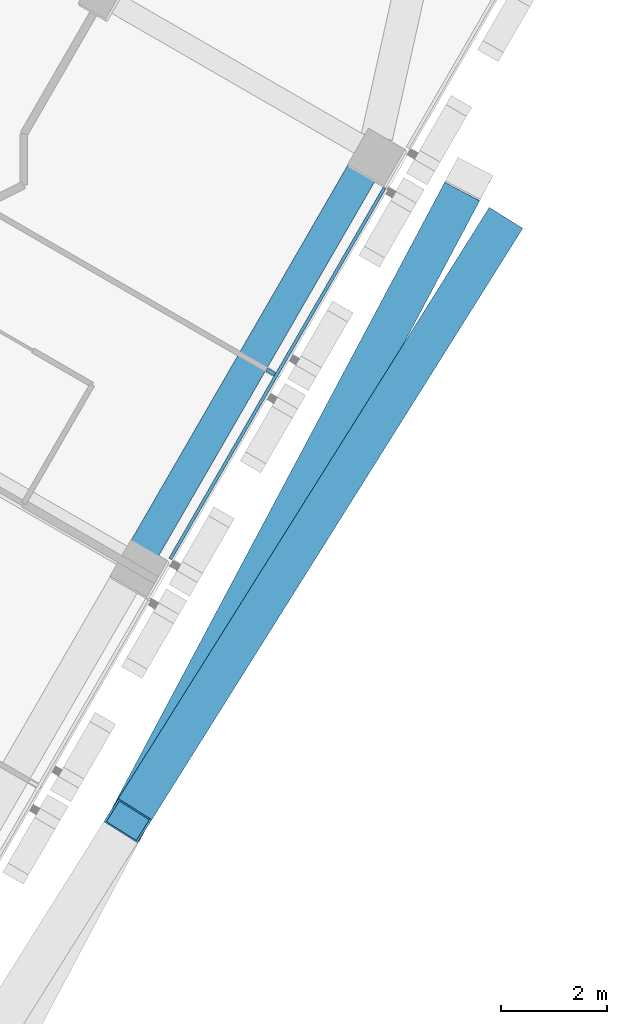
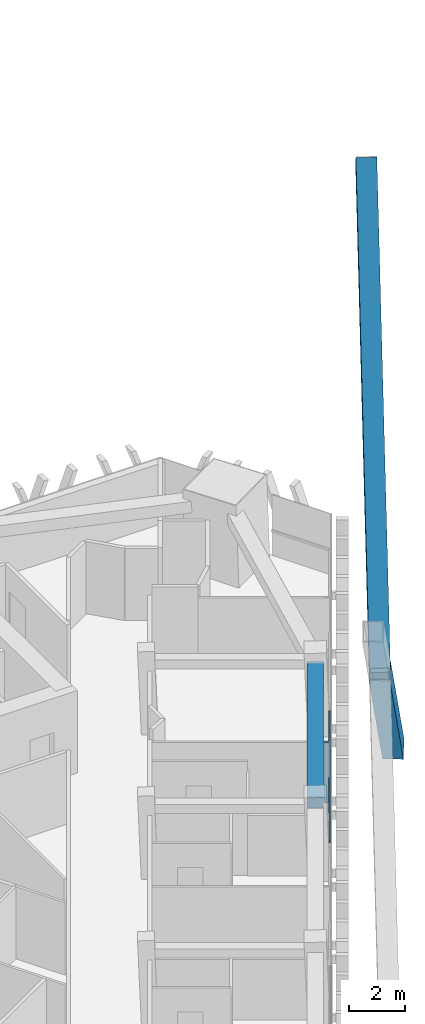
# One storey, part 6 of 18: 4 members, 1 beam, 1 element without a shape of its own.
"""IFC4 building model written with IfcOpenShell, lengths in metres."""

from ifc_helpers import new_model, si_unit, direction, frame, origin, origin_2d, place, context, subcontext, project, spatial, rectangle, hollow_rectangle, extrude, material, layer, layer_set, material_profile, profile_set, type_object, element, aggregate, save


model = new_model("IFC4")

# Units and contexts
model_context = context("Model", 3, precision=1e-05, world=origin(), true_north=direction((0.0, 1.0)))
body_context = subcontext(model_context, "Body", "Model", "MODEL_VIEW")
ifc_project = project(units=[si_unit("LENGTHUNIT", "METRE"), si_unit("AREAUNIT", "SQUARE_METRE"), si_unit("VOLUMEUNIT", "CUBIC_METRE"), si_unit("PLANEANGLEUNIT", "RADIAN"), si_unit("MASSUNIT", "GRAM", prefix="KILO")], contexts=[model_context])

# Site, building, storey
site_placement = place(None, origin())
site = spatial("IfcSite", under=ifc_project, at=site_placement, CompositionType="ELEMENT")
building_placement = place(site_placement, origin())
building = spatial("IfcBuilding", under=site, at=building_placement, Name="Altiplano Prism Tower", CompositionType="ELEMENT")
storey_placement = place(building_placement, frame((0.0, 0.0, 163.800048828125)))
storey = spatial("IfcBuildingStorey", under=building, at=storey_placement, Name="L42", CompositionType="ELEMENT", Elevation=163.800048828125)

# Curtain wall, members
ifc_material_1 = material(Name="Aluminium and glass", Category="aluminium")
ifc_layer = layer(ifc_material_1, 0.280029296875)
ifc_layer_set = layer_set([ifc_layer], Name="Aluminium and glass")
curtain_wall_type = type_object("IfcCurtainWallType", Name="CW1 typical co-living unitised curtain wall", PredefinedType="NOTDEFINED", material=ifc_layer_set)
curtain_wall_placement = place(storey_placement, origin())
curtain_wall = element("IfcCurtainWall", 1, at=curtain_wall_placement, inside=storey, type_object=curtain_wall_type, Name="CW1 curtain wall south-east face L42", PredefinedType="NOTDEFINED")
ifc_material_2 = material(Name="Aluminium", Category="aluminium")
ifc_material_profile_1 = material_profile(ifc_material_2, rectangle(XDim=0.179931640625, YDim=0.06494140625, at=origin_2d()), Name="CW1 mullion 65 x 180")
ifc_profile_set_1 = profile_set([ifc_material_profile_1], Name="Aluminium")
member_type_1 = type_object("IfcMemberType", Name="CW1 mullion 65 x 180", PredefinedType="MULLION", material=ifc_profile_set_1)
member_1_placement = place(storey_placement, frame((104.482421875, 86.654052734375, 0.0), z_axis=(0.0, 0.0, 1.0), x_axis=(-0.866025400931, 0.500000004943, 0.0)))
member_1 = element("IfcMember", 2, at=member_1_placement, type_object=member_type_1, Name="CW1 mullion", PredefinedType="MULLION", context=body_context, shape_type="SweptSolid", body=[
    extrude(rectangle(XDim=0.179931640625, YDim=0.06494140625, at=origin_2d()), origin(), (0.0, 0.0, 1.0), 2.64990234375),
])
ifc_material_profile_2 = material_profile(ifc_material_2, rectangle(XDim=0.06005859375, YDim=0.080078125, at=origin_2d()), Name="CW1 transom 80 x 60")
ifc_profile_set_2 = profile_set([ifc_material_profile_2], Name="Aluminium")
member_type_2 = type_object("IfcMemberType", Name="CW1 transom 80 x 60", PredefinedType="USERDEFINED", material=ifc_profile_set_2)
member_2_placement = place(storey_placement, frame((102.576171875, 83.112060546875, 1.099853515625), z_axis=(0.499990533176, 0.866030869389, 0.0), x_axis=(-0.866030869389, 0.499990533176, 0.0)))
member_2 = element("IfcMember", 3, at=member_2_placement, type_object=member_type_2, Name="CW1 transom", ObjectType="TRANSOM", PredefinedType="USERDEFINED", context=body_context, shape_type="SweptSolid", body=[
    extrude(rectangle(XDim=0.06005859375, YDim=0.080078125, at=origin_2d()), origin(), (0.0, 0.0, 1.0), 8.119873046875),
])
aggregate(curtain_wall, [member_1, member_2])

# Beam
ifc_material_3 = material(Name="Concrete C60/75", Category="concrete")
ifc_material_profile_3 = material_profile(ifc_material_3, rectangle(XDim=0.60009765625, YDim=0.5, at=origin_2d()), Name="Edge beam 600x500")
ifc_profile_set_3 = profile_set([ifc_material_profile_3], Name="Concrete C60/75")
beam_type = type_object("IfcBeamType", Name="Edge beam 600x500", PredefinedType="SPANDREL", material=ifc_profile_set_3)
beam_placement = place(storey_placement, frame((102.067138671875, 83.267822265625, 2.89990234375), z_axis=(0.499993714791, 0.866029032521, 0.0), x_axis=(-0.866029032521, 0.499993714791, 0.0)))
element("IfcBeam", 4, at=beam_placement, inside=storey, type_object=beam_type, Name="Edge beam P23-P24 L43", PredefinedType="SPANDREL", context=body_context, shape_type="SweptSolid", body=[
    extrude(rectangle(XDim=0.60009765625, YDim=0.5, at=origin_2d()), origin(), (0.0, 0.0, 1.0), 8.43994140625),
])

# Members
ifc_material_4 = material(Name="Steel S355", Category="steel")
ifc_material_profile_4 = material_profile(ifc_material_4, hollow_rectangle(XDim=0.75, YDim=0.75, WallThickness=0.0400390625, at=origin_2d()), Name="Mega brace Box 750x750x40")
ifc_profile_set_4 = profile_set([ifc_material_profile_4], Name="Steel S355")
member_type_3 = type_object("IfcMemberType", Name="Mega brace Box 750x750x40", PredefinedType="BRACE", material=ifc_profile_set_4)
member_3_placement = place(storey_placement, frame((101.772216796875, 78.149658203125, 11.875), z_axis=(0.345458966781, 0.650121247865, 0.676757316433), x_axis=(-0.883069537331, 0.469242146698, 0.0)))
element("IfcMember", 5, at=member_3_placement, inside=storey, type_object=member_type_3, Name="Mega brace 4.2.2", PredefinedType="BRACE", context=body_context, shape_type="SweptSolid", body=[
    extrude(hollow_rectangle(XDim=0.75, YDim=0.75, WallThickness=0.0400390625, at=origin_2d()), origin(), (0.0, 0.0, 1.0), 18.68896484375),
])
member_4_placement = place(storey_placement, frame((108.80224609375, 89.356201171875, -0.800048828125), z_axis=(-0.383710998239, -0.611672243138, 0.691825799464), x_axis=(0.847115859398, -0.531408243026, 0.0)))
element("IfcMember", 6, at=member_4_placement, inside=storey, type_object=member_type_3, Name="Mega brace 4.2.3", PredefinedType="BRACE", context=body_context, shape_type="SweptSolid", body=[
    extrude(hollow_rectangle(XDim=0.75, YDim=0.75, WallThickness=0.0400390625, at=origin_2d()), origin(), (0.0, 0.0, 1.0), 18.321044921875),
])

save(model, "model.ifc")
